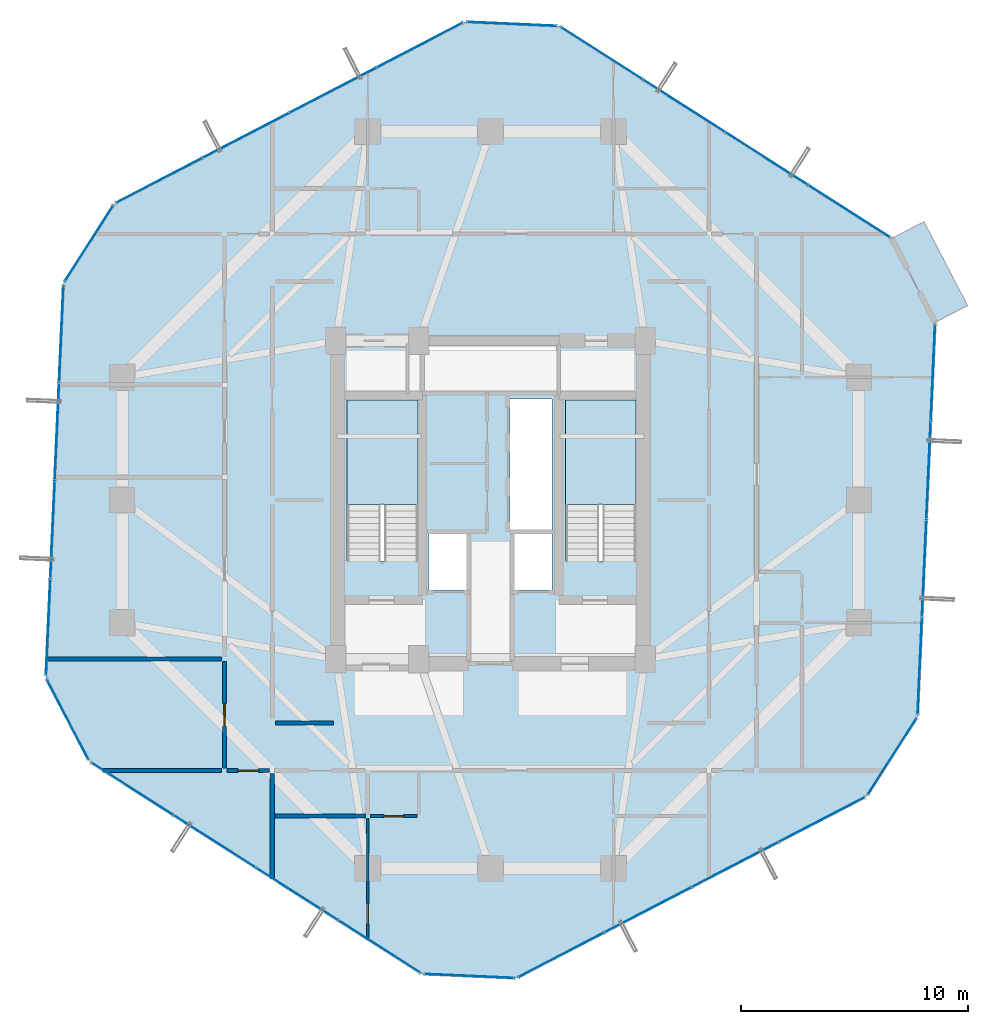
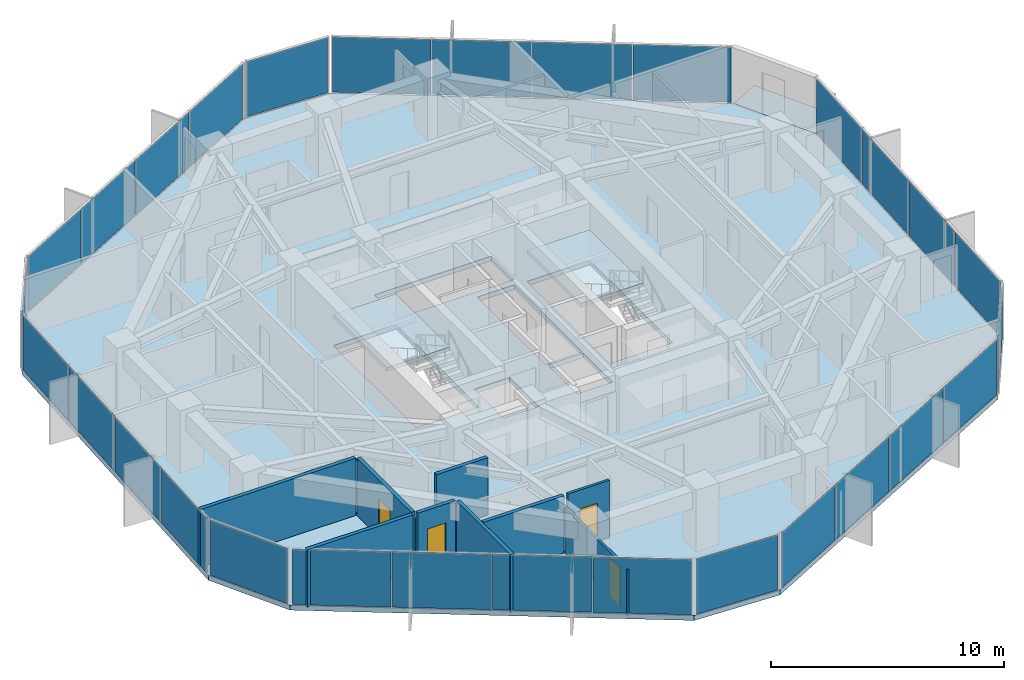
# One storey, part 25 of 30: 29 plates, 9 walls, 4 doors, 4 slabs, 4 openings, 13 elements without a shape of their own.
"""IFC4 building model written with IfcOpenShell, lengths in metres."""

from ifc_helpers import new_model, si_unit, direction, frame, frame_2d, origin, origin_2d, place, context, subcontext, project, spatial, polyline, rectangle, outline, extrude, source, transform, mapped, material, layer, layer_set, type_object, element, fill, aggregate, save


model = new_model("IFC4")

# Units and contexts
model_context = context("Model", 3, precision=1e-05, world=origin(), true_north=direction((0.0, 1.0)))
body_context = subcontext(model_context, "Body", "Model", "MODEL_VIEW")
ifc_project = project(units=[si_unit("LENGTHUNIT", "METRE"), si_unit("AREAUNIT", "SQUARE_METRE"), si_unit("VOLUMEUNIT", "CUBIC_METRE"), si_unit("PLANEANGLEUNIT", "RADIAN"), si_unit("MASSUNIT", "GRAM", prefix="KILO")], contexts=[model_context])

# Site, building, storey
site_placement = place(None, origin())
site = spatial("IfcSite", under=ifc_project, at=site_placement, CompositionType="ELEMENT")
building_placement = place(site_placement, origin())
building = spatial("IfcBuilding", under=site, at=building_placement, Name="Veraguas Prism Commons", CompositionType="ELEMENT")
storey_placement = place(building_placement, frame((0.0, 0.0, 119.75)))
storey = spatial("IfcBuildingStorey", under=building, at=storey_placement, Name="L33", CompositionType="ELEMENT", Elevation=119.75)

# Stair, slab
ifc_material_1 = material(Name="Precast concrete C45/55", Category="concrete")
stair_type = type_object("IfcStairType", Name="Dogleg Core Stair 1480W 20R 05", PredefinedType="HALF_TURN_STAIR", material=ifc_material_1)
stair_1_placement = place(storey_placement, origin())
stair_1 = element("IfcStair", 1, at=stair_1_placement, inside=storey, type_object=stair_type, Name="Protected Exit Stair ST-01 L33", PredefinedType="HALF_TURN_STAIR")
ifc_layer_1 = layer(ifc_material_1, 0.199951171875, Name="Precast Stair and Ramp Landing Slab 200", Category="concrete")
ifc_layer_set_1 = layer_set([ifc_layer_1], Name="Precast concrete C45/55")
slab_type_1 = type_object("IfcSlabType", Name="Precast Stair and Ramp Landing Slab 200", PredefinedType="LANDING", material=ifc_layer_set_1)
slab_1_placement = place(storey_placement, frame((0.0, 0.0, 1.425048828125)))
slab_1 = element("IfcSlab", 2, at=slab_1_placement, type_object=slab_type_1, Name="ST-05 Landing 1", PredefinedType="LANDING", context=body_context, shape_type="SweptSolid", body=[
    extrude(outline(polyline([(20.800048828125, 23.800048828125), (20.800048828125, 28.39990234375), (17.68994140625, 28.39990234375), (17.68994140625, 23.800048828125), (20.800048828125, 23.800048828125)])), origin(), (0.0, 0.0, 1.0), 0.199951171875),
])
aggregate(stair_1, [slab_1])

stair_2_placement = place(storey_placement, origin())
stair_2 = element("IfcStair", 3, at=stair_2_placement, inside=storey, type_object=stair_type, Name="Protected Exit Stair ST-02 L33", PredefinedType="HALF_TURN_STAIR")
slab_2_placement = place(storey_placement, frame((0.0, 0.0, 1.425048828125)))
slab_2 = element("IfcSlab", 4, at=slab_2_placement, type_object=slab_type_1, Name="ST-05 Landing 1", PredefinedType="LANDING", context=body_context, shape_type="SweptSolid", body=[
    extrude(outline(polyline([(30.39990234375, 23.800048828125), (30.39990234375, 28.39990234375), (27.2900390625, 28.39990234375), (27.2900390625, 23.800048828125), (30.39990234375, 23.800048828125)])), origin(), (0.0, 0.0, 1.0), 0.199951171875),
])
aggregate(stair_2, [slab_2])

# Slabs
ifc_material_2 = material(Name="Concrete C45/55", Category="concrete")
ifc_layer_2 = layer(ifc_material_2, 0.219970703125, Name="Recessed Loggia and Terrace Slab RC 220", Category="concrete")
ifc_layer_set_2 = layer_set([ifc_layer_2], Name="Concrete C45/55")
slab_type_2 = type_object("IfcSlabType", Name="Recessed Loggia and Terrace Slab RC 220", PredefinedType="FLOOR", material=ifc_layer_set_2)
slab_3_placement = place(storey_placement, frame((0.0, 0.0, -0.219970703125)))
element("IfcSlab", 5, at=slab_3_placement, inside=storey, type_object=slab_type_2, Name="Recessed Corner Loggia L33-C1", PredefinedType="FLOOR", context=body_context, shape_type="SweptSolid", body=[
    extrude(outline(polyline([(43.533203125, 31.802490234375), (44.970947265625, 32.549072265625), (43.056884765625, 36.23486328125), (41.619384765625, 35.48828125), (43.533203125, 31.802490234375)])), origin(), (0.0, 0.0, 1.0), 0.219970703125),
])
ifc_layer_3 = layer(ifc_material_2, 0.25, Name="Tower Lower Residential Floor Slab RC 250", Category="concrete")
ifc_layer_set_3 = layer_set([ifc_layer_3], Name="Concrete C45/55")
slab_type_3 = type_object("IfcSlabType", Name="Tower Lower Residential Floor Slab RC 250", PredefinedType="FLOOR", material=ifc_layer_set_3)
slab_4_placement = place(storey_placement, frame((0.0, 0.0, -0.25)))
element("IfcSlab", 6, at=slab_4_placement, inside=storey, type_object=slab_type_3, Name="Tower Floor Slab L33", PredefinedType="FLOOR", context=body_context, shape_type="SweptSolid", body=[
    extrude(outline(polyline([(43.55078125, 31.811767578125), (41.636962890625, 35.49755859375), (27.01025390625, 44.83740234375), (22.861328125, 45.02294921875), (7.45947265625, 37.025634765625), (5.224365234375, 33.525390625), (4.44921875, 16.188232421875), (6.363037109375, 12.50244140625), (20.98974609375, 3.16259765625), (25.138671875, 2.97705078125), (40.54052734375, 10.974365234375), (42.775634765625, 14.474609375), (43.55078125, 31.811767578125)]), holes=[polyline([(20.800048828125, 21.31005859375), (20.800048828125, 28.39990234375), (17.68994140625, 28.39990234375), (17.68994140625, 21.31005859375), (20.800048828125, 21.31005859375)]), polyline([(30.39990234375, 21.31005859375), (30.39990234375, 28.39990234375), (27.2900390625, 28.39990234375), (27.2900390625, 21.31005859375), (30.39990234375, 21.31005859375)]), polyline([(24.85009765625, 22.64990234375), (26.699951171875, 22.64990234375), (26.699951171875, 28.449951171875), (24.85009765625, 28.449951171875), (24.85009765625, 22.64990234375)]), polyline([(21.10009765625, 28.800048828125), (26.89990234375, 28.800048828125), (26.89990234375, 30.800048828125), (21.10009765625, 30.800048828125), (21.10009765625, 28.800048828125)]), polyline([(21.300048828125, 20.050048828125), (23.050048828125, 20.050048828125), (23.050048828125, 22.550048828125), (21.300048828125, 22.550048828125), (21.300048828125, 20.050048828125)]), polyline([(24.949951171875, 20.050048828125), (26.699951171875, 20.050048828125), (26.699951171875, 22.550048828125), (24.949951171875, 22.550048828125), (24.949951171875, 20.050048828125)])]), origin(), (0.0, 0.0, 1.0), 0.25),
])

# Curtain wall, plates
ifc_material_3 = material(Name="Anodised aluminium EN AW-6063 T6", Category="aluminium")
ifc_layer_4 = layer(ifc_material_3, 0.169921875, Name="Unitised Flush Curtain Wall Zone 2", Category="aluminium")
ifc_layer_set_4 = layer_set([ifc_layer_4], Name="Anodised aluminium EN AW-6063 T6")
curtain_wall_type = type_object("IfcCurtainWallType", Name="Unitised Flush Curtain Wall Zone 2", PredefinedType="NOTDEFINED", material=ifc_layer_set_4)
curtain_wall_1_placement = place(storey_placement, origin())
curtain_wall_1 = element("IfcCurtainWall", 7, at=curtain_wall_1_placement, inside=storey, type_object=curtain_wall_type, Name="Tower Facade Curtain Wall L33-F1", PredefinedType="NOTDEFINED")
ifc_material_4 = material(Name="Laminated low-e glass", Category="glass")
ifc_layer_5 = layer(ifc_material_4, 0.028076171875, Name="Unitised Double Low-E Glazed Panel 28", Category="glass")
ifc_layer_set_5 = layer_set([ifc_layer_5], Name="Laminated low-e glass")
plate_type = type_object("IfcPlateType", Name="Unitised Double Low-E Glazed Panel 28", PredefinedType="CURTAIN_PANEL", material=ifc_layer_set_5)
shared_shape_1 = source(origin(), body_context, "Body", "SweptSolid", [
    extrude(rectangle(XDim=4.218505859375, YDim=0.028076171875, at=origin_2d()), origin(), (0.0, 0.0, 1.0), 2.889892578125),
])
plate_1_placement = place(storey_placement, frame((39.758056640625, 36.697265625, 0.05517578125), z_axis=(0.0, 0.0, 1.0), x_axis=(-0.842827385334, 0.538183982047, 0.0)))
plate_1 = element("IfcPlate", 8, at=plate_1_placement, type_object=plate_type, Name="CW-Z2 Panel 1.1", PredefinedType="CURTAIN_PANEL", context=body_context, shape_type="MappedRepresentation", body=[
    mapped(shared_shape_1, transform((0.0, 0.0, 0.0), scale=1.0)),
])
plate_2_placement = place(storey_placement, frame((28.88916015625, 43.6376953125, 0.05517578125), z_axis=(0.0, 0.0, 1.0), x_axis=(-0.842827385334, 0.538183982047, 0.0)))
plate_2 = element("IfcPlate", 9, at=plate_2_placement, type_object=plate_type, Name="CW-Z2 Panel 4.1", PredefinedType="CURTAIN_PANEL", context=body_context, shape_type="MappedRepresentation", body=[
    mapped(shared_shape_1, transform((0.0, 0.0, 0.0), scale=1.0)),
])

curtain_wall_2_placement = place(storey_placement, origin())
curtain_wall_2 = element("IfcCurtainWall", 10, at=curtain_wall_2_placement, inside=storey, type_object=curtain_wall_type, Name="Tower Facade Curtain Wall L33-F2", PredefinedType="NOTDEFINED")
plate_3_placement = place(storey_placement, frame((20.8828125, 43.99560546875, 0.05517578125), z_axis=(0.0, 0.0, 1.0), x_axis=(-0.887493888749, -0.46081948465, 0.0)))
plate_3 = element("IfcPlate", 11, at=plate_3_placement, type_object=plate_type, Name="CW-Z2 Panel 1.1", PredefinedType="CURTAIN_PANEL", context=body_context, shape_type="MappedRepresentation", body=[
    mapped(shared_shape_1, transform((0.0, 0.0, 0.0), scale=1.0)),
])
plate_4_placement = place(storey_placement, frame((9.437744140625, 38.052978515625, 0.05517578125), z_axis=(0.0, 0.0, 1.0), x_axis=(-0.887493888749, -0.46081948465, 0.0)))
plate_4 = element("IfcPlate", 12, at=plate_4_placement, type_object=plate_type, Name="CW-Z2 Panel 4.1", PredefinedType="CURTAIN_PANEL", context=body_context, shape_type="MappedRepresentation", body=[
    mapped(shared_shape_1, transform((0.0, 0.0, 0.0), scale=1.0)),
])

curtain_wall_3_placement = place(storey_placement, origin())
curtain_wall_3 = element("IfcCurtainWall", 13, at=curtain_wall_3_placement, inside=storey, type_object=curtain_wall_type, Name="Tower Facade Curtain Wall L33-F3", PredefinedType="NOTDEFINED")
plate_5_placement = place(storey_placement, frame((5.124755859375, 31.29833984375, 0.05517578125), z_axis=(0.0, 0.0, 1.0), x_axis=(-0.044667307696, -0.999001917728, 0.0)))
plate_5 = element("IfcPlate", 14, at=plate_5_placement, type_object=plate_type, Name="CW-Z2 Panel 1.1", PredefinedType="CURTAIN_PANEL", context=body_context, shape_type="MappedRepresentation", body=[
    mapped(shared_shape_1, transform((0.0, 0.0, 0.0), scale=1.0)),
])
plate_6_placement = place(storey_placement, frame((4.548583984375, 18.415283203125, 0.05517578125), z_axis=(0.0, 0.0, 1.0), x_axis=(-0.044667307696, -0.999001917728, 0.0)))
plate_6 = element("IfcPlate", 15, at=plate_6_placement, type_object=plate_type, Name="CW-Z2 Panel 4.1", PredefinedType="CURTAIN_PANEL", context=body_context, shape_type="MappedRepresentation", body=[
    mapped(shared_shape_1, transform((0.0, 0.0, 0.0), scale=1.0)),
])

curtain_wall_4_placement = place(storey_placement, origin())
curtain_wall_4 = element("IfcCurtainWall", 16, at=curtain_wall_4_placement, inside=storey, type_object=curtain_wall_type, Name="Tower Facade Curtain Wall L33-F4", PredefinedType="NOTDEFINED")
plate_7_placement = place(storey_placement, frame((8.241943359375, 11.302734375, 0.05517578125), z_axis=(0.0, 0.0, 1.0), x_axis=(0.842827385334, -0.538183982047, 0.0)))
plate_7 = element("IfcPlate", 17, at=plate_7_placement, type_object=plate_type, Name="CW-Z2 Panel 1.1", PredefinedType="CURTAIN_PANEL", context=body_context, shape_type="MappedRepresentation", body=[
    mapped(shared_shape_1, transform((0.0, 0.0, 0.0), scale=1.0)),
])
plate_8_placement = place(storey_placement, frame((19.11083984375, 4.3623046875, 0.05517578125), z_axis=(0.0, 0.0, 1.0), x_axis=(0.842827385334, -0.538183982047, 0.0)))
plate_8 = element("IfcPlate", 18, at=plate_8_placement, type_object=plate_type, Name="CW-Z2 Panel 4.1", PredefinedType="CURTAIN_PANEL", context=body_context, shape_type="MappedRepresentation", body=[
    mapped(shared_shape_1, transform((0.0, 0.0, 0.0), scale=1.0)),
])

curtain_wall_5_placement = place(storey_placement, origin())
curtain_wall_5 = element("IfcCurtainWall", 19, at=curtain_wall_5_placement, inside=storey, type_object=curtain_wall_type, Name="Tower Facade Curtain Wall L33-F5", PredefinedType="NOTDEFINED")
plate_9_placement = place(storey_placement, frame((27.1171875, 4.00439453125, 0.05517578125), z_axis=(0.0, 0.0, 1.0), x_axis=(0.887493888749, 0.46081948465, 0.0)))
plate_9 = element("IfcPlate", 20, at=plate_9_placement, type_object=plate_type, Name="CW-Z2 Panel 1.1", PredefinedType="CURTAIN_PANEL", context=body_context, shape_type="MappedRepresentation", body=[
    mapped(shared_shape_1, transform((0.0, 0.0, 0.0), scale=1.0)),
])
plate_10_placement = place(storey_placement, frame((38.562255859375, 9.947021484375, 0.05517578125), z_axis=(0.0, 0.0, 1.0), x_axis=(0.887493888749, 0.46081948465, 0.0)))
plate_10 = element("IfcPlate", 21, at=plate_10_placement, type_object=plate_type, Name="CW-Z2 Panel 4.1", PredefinedType="CURTAIN_PANEL", context=body_context, shape_type="MappedRepresentation", body=[
    mapped(shared_shape_1, transform((0.0, 0.0, 0.0), scale=1.0)),
])

curtain_wall_6_placement = place(storey_placement, origin())
curtain_wall_6 = element("IfcCurtainWall", 22, at=curtain_wall_6_placement, inside=storey, type_object=curtain_wall_type, Name="Tower Facade Curtain Wall L33-F6", PredefinedType="NOTDEFINED")
plate_11_placement = place(storey_placement, frame((42.875244140625, 16.70166015625, 0.05517578125), z_axis=(0.0, 0.0, 1.0), x_axis=(0.044667307696, 0.999001917728, 0.0)))
plate_11 = element("IfcPlate", 23, at=plate_11_placement, type_object=plate_type, Name="CW-Z2 Panel 1.1", PredefinedType="CURTAIN_PANEL", context=body_context, shape_type="MappedRepresentation", body=[
    mapped(shared_shape_1, transform((0.0, 0.0, 0.0), scale=1.0)),
])
plate_12_placement = place(storey_placement, frame((43.451416015625, 29.584716796875, 0.05517578125), z_axis=(0.0, 0.0, 1.0), x_axis=(0.044667307696, 0.999001917728, 0.0)))
plate_12 = element("IfcPlate", 24, at=plate_12_placement, type_object=plate_type, Name="CW-Z2 Panel 4.1", PredefinedType="CURTAIN_PANEL", context=body_context, shape_type="MappedRepresentation", body=[
    mapped(shared_shape_1, transform((0.0, 0.0, 0.0), scale=1.0)),
])

# Plate
shared_shape_2 = source(origin(), body_context, "Body", "SweptSolid", [
    extrude(rectangle(XDim=4.24853515625, YDim=0.028076171875, at=origin_2d()), origin(), (0.0, 0.0, 1.0), 2.889892578125),
])
plate_13_placement = place(storey_placement, frame((36.139404296875, 39.008056640625, 0.05517578125), z_axis=(0.0, 0.0, 1.0), x_axis=(-0.842827385334, 0.538183982047, 0.0)))
plate_13 = element("IfcPlate", 25, at=plate_13_placement, type_object=plate_type, Name="CW-Z2 Panel 2.1", PredefinedType="CURTAIN_PANEL", context=body_context, shape_type="MappedRepresentation", body=[
    mapped(shared_shape_2, transform((0.0, 0.0, 0.0), scale=1.0)),
])

plate_14_placement = place(storey_placement, frame((32.508056640625, 41.326904296875, 0.05517578125), z_axis=(0.0, 0.0, 1.0), x_axis=(-0.842827385334, 0.538183982047, 0.0)))
plate_14 = element("IfcPlate", 26, at=plate_14_placement, type_object=plate_type, Name="CW-Z2 Panel 3.1", PredefinedType="CURTAIN_PANEL", context=body_context, shape_type="MappedRepresentation", body=[
    mapped(shared_shape_2, transform((0.0, 0.0, 0.0), scale=1.0)),
])

aggregate(curtain_wall_1, [plate_1, plate_13, plate_14, plate_2])

plate_15_placement = place(storey_placement, frame((17.072265625, 42.01708984375, 0.05517578125), z_axis=(0.0, 0.0, 1.0), x_axis=(-0.887493888749, -0.46081948465, 0.0)))
plate_15 = element("IfcPlate", 27, at=plate_15_placement, type_object=plate_type, Name="CW-Z2 Panel 2.1", PredefinedType="CURTAIN_PANEL", context=body_context, shape_type="MappedRepresentation", body=[
    mapped(shared_shape_2, transform((0.0, 0.0, 0.0), scale=1.0)),
])

plate_16_placement = place(storey_placement, frame((13.248291015625, 40.031494140625, 0.05517578125), z_axis=(0.0, 0.0, 1.0), x_axis=(-0.887493888749, -0.46081948465, 0.0)))
plate_16 = element("IfcPlate", 28, at=plate_16_placement, type_object=plate_type, Name="CW-Z2 Panel 3.1", PredefinedType="CURTAIN_PANEL", context=body_context, shape_type="MappedRepresentation", body=[
    mapped(shared_shape_2, transform((0.0, 0.0, 0.0), scale=1.0)),
])

aggregate(curtain_wall_2, [plate_3, plate_15, plate_16, plate_4])

plate_17_placement = place(storey_placement, frame((4.932861328125, 27.009033203125, 0.05517578125), z_axis=(0.0, 0.0, 1.0), x_axis=(-0.044667307696, -0.999001917728, 0.0)))
plate_17 = element("IfcPlate", 29, at=plate_17_placement, type_object=plate_type, Name="CW-Z2 Panel 2.1", PredefinedType="CURTAIN_PANEL", context=body_context, shape_type="MappedRepresentation", body=[
    mapped(shared_shape_2, transform((0.0, 0.0, 0.0), scale=1.0)),
])

plate_18_placement = place(storey_placement, frame((4.740478515625, 22.70458984375, 0.05517578125), z_axis=(0.0, 0.0, 1.0), x_axis=(-0.044667307696, -0.999001917728, 0.0)))
plate_18 = element("IfcPlate", 30, at=plate_18_placement, type_object=plate_type, Name="CW-Z2 Panel 3.1", PredefinedType="CURTAIN_PANEL", context=body_context, shape_type="MappedRepresentation", body=[
    mapped(shared_shape_2, transform((0.0, 0.0, 0.0), scale=1.0)),
])

aggregate(curtain_wall_3, [plate_5, plate_17, plate_18, plate_6])

plate_19_placement = place(storey_placement, frame((11.860595703125, 8.991943359375, 0.05517578125), z_axis=(0.0, 0.0, 1.0), x_axis=(0.842827385334, -0.538183982047, 0.0)))
plate_19 = element("IfcPlate", 31, at=plate_19_placement, type_object=plate_type, Name="CW-Z2 Panel 2.1", PredefinedType="CURTAIN_PANEL", context=body_context, shape_type="MappedRepresentation", body=[
    mapped(shared_shape_2, transform((0.0, 0.0, 0.0), scale=1.0)),
])

plate_20_placement = place(storey_placement, frame((15.491943359375, 6.673095703125, 0.05517578125), z_axis=(0.0, 0.0, 1.0), x_axis=(0.842827385334, -0.538183982047, 0.0)))
plate_20 = element("IfcPlate", 32, at=plate_20_placement, type_object=plate_type, Name="CW-Z2 Panel 3.1", PredefinedType="CURTAIN_PANEL", context=body_context, shape_type="MappedRepresentation", body=[
    mapped(shared_shape_2, transform((0.0, 0.0, 0.0), scale=1.0)),
])

aggregate(curtain_wall_4, [plate_7, plate_19, plate_20, plate_8])

plate_21_placement = place(storey_placement, frame((30.927734375, 5.98291015625, 0.05517578125), z_axis=(0.0, 0.0, 1.0), x_axis=(0.887493888749, 0.46081948465, 0.0)))
plate_21 = element("IfcPlate", 33, at=plate_21_placement, type_object=plate_type, Name="CW-Z2 Panel 2.1", PredefinedType="CURTAIN_PANEL", context=body_context, shape_type="MappedRepresentation", body=[
    mapped(shared_shape_2, transform((0.0, 0.0, 0.0), scale=1.0)),
])

plate_22_placement = place(storey_placement, frame((34.751708984375, 7.968505859375, 0.05517578125), z_axis=(0.0, 0.0, 1.0), x_axis=(0.887493888749, 0.46081948465, 0.0)))
plate_22 = element("IfcPlate", 34, at=plate_22_placement, type_object=plate_type, Name="CW-Z2 Panel 3.1", PredefinedType="CURTAIN_PANEL", context=body_context, shape_type="MappedRepresentation", body=[
    mapped(shared_shape_2, transform((0.0, 0.0, 0.0), scale=1.0)),
])

aggregate(curtain_wall_5, [plate_9, plate_21, plate_22, plate_10])

plate_23_placement = place(storey_placement, frame((43.067138671875, 20.990966796875, 0.05517578125), z_axis=(0.0, 0.0, 1.0), x_axis=(0.044667307696, 0.999001917728, 0.0)))
plate_23 = element("IfcPlate", 35, at=plate_23_placement, type_object=plate_type, Name="CW-Z2 Panel 2.1", PredefinedType="CURTAIN_PANEL", context=body_context, shape_type="MappedRepresentation", body=[
    mapped(shared_shape_2, transform((0.0, 0.0, 0.0), scale=1.0)),
])

plate_24_placement = place(storey_placement, frame((43.259521484375, 25.29541015625, 0.05517578125), z_axis=(0.0, 0.0, 1.0), x_axis=(0.044667307696, 0.999001917728, 0.0)))
plate_24 = element("IfcPlate", 36, at=plate_24_placement, type_object=plate_type, Name="CW-Z2 Panel 3.1", PredefinedType="CURTAIN_PANEL", context=body_context, shape_type="MappedRepresentation", body=[
    mapped(shared_shape_2, transform((0.0, 0.0, 0.0), scale=1.0)),
])

aggregate(curtain_wall_6, [plate_11, plate_23, plate_24, plate_12])

# Curtain wall, plate
curtain_wall_7_placement = place(storey_placement, origin())
curtain_wall_7 = element("IfcCurtainWall", 37, at=curtain_wall_7_placement, inside=storey, type_object=curtain_wall_type, Name="Chamfer Curtain Wall L33-C3", PredefinedType="NOTDEFINED")
shared_shape_3 = source(origin(), body_context, "Body", "SweptSolid", [
    extrude(rectangle(XDim=3.9130859375, YDim=0.028076171875, at=origin_2d()), origin(), (0.0, 0.0, 1.0), 2.889892578125),
])
plate_25_placement = place(storey_placement, frame((6.341796875, 35.275390625, 0.05517578125), z_axis=(0.0, 0.0, 1.0), x_axis=(-0.53817662697, -0.842832081843, 0.0)))
plate_25 = element("IfcPlate", 38, at=plate_25_placement, type_object=plate_type, Name="CW-Z2 Panel 1.1", PredefinedType="CURTAIN_PANEL", context=body_context, shape_type="MappedRepresentation", body=[
    mapped(shared_shape_3, transform((0.0, 0.0, 0.0), scale=1.0)),
])
aggregate(curtain_wall_7, [plate_25])

curtain_wall_8_placement = place(storey_placement, origin())
curtain_wall_8 = element("IfcCurtainWall", 39, at=curtain_wall_8_placement, inside=storey, type_object=curtain_wall_type, Name="Chamfer Curtain Wall L33-C6", PredefinedType="NOTDEFINED")
plate_26_placement = place(storey_placement, frame((41.658203125, 12.724609375, 0.05517578125), z_axis=(0.0, 0.0, 1.0), x_axis=(0.53817662697, 0.842832081843, 0.0)))
plate_26 = element("IfcPlate", 40, at=plate_26_placement, type_object=plate_type, Name="CW-Z2 Panel 1.1", PredefinedType="CURTAIN_PANEL", context=body_context, shape_type="MappedRepresentation", body=[
    mapped(shared_shape_3, transform((0.0, 0.0, 0.0), scale=1.0)),
])
aggregate(curtain_wall_8, [plate_26])

curtain_wall_9_placement = place(storey_placement, origin())
curtain_wall_9 = element("IfcCurtainWall", 41, at=curtain_wall_9_placement, inside=storey, type_object=curtain_wall_type, Name="Chamfer Curtain Wall L33-C2", PredefinedType="NOTDEFINED")
shared_shape_4 = source(origin(), body_context, "Body", "SweptSolid", [
    extrude(rectangle(XDim=3.913330078125, YDim=0.028076171875, at=origin_2d()), origin(), (0.0, 0.0, 1.0), 2.889892578125),
])
plate_27_placement = place(storey_placement, frame((24.935791015625, 44.93017578125, 0.05517578125), z_axis=(0.0, 0.0, 1.0), x_axis=(-0.999002541303, 0.044653358993, 0.0)))
plate_27 = element("IfcPlate", 42, at=plate_27_placement, type_object=plate_type, Name="CW-Z2 Panel 1.1", PredefinedType="CURTAIN_PANEL", context=body_context, shape_type="MappedRepresentation", body=[
    mapped(shared_shape_4, transform((0.0, 0.0, 0.0), scale=1.0)),
])
aggregate(curtain_wall_9, [plate_27])

curtain_wall_10_placement = place(storey_placement, origin())
curtain_wall_10 = element("IfcCurtainWall", 43, at=curtain_wall_10_placement, inside=storey, type_object=curtain_wall_type, Name="Chamfer Curtain Wall L33-C4", PredefinedType="NOTDEFINED")
plate_28_placement = place(storey_placement, frame((5.406005859375, 14.345458984375, 0.05517578125), z_axis=(0.0, 0.0, 1.0), x_axis=(0.460838072178, -0.887484237173, 0.0)))
plate_28 = element("IfcPlate", 44, at=plate_28_placement, type_object=plate_type, Name="CW-Z2 Panel 1.1", PredefinedType="CURTAIN_PANEL", context=body_context, shape_type="MappedRepresentation", body=[
    mapped(shared_shape_4, transform((0.0, 0.0, 0.0), scale=1.0)),
])
aggregate(curtain_wall_10, [plate_28])

curtain_wall_11_placement = place(storey_placement, origin())
curtain_wall_11 = element("IfcCurtainWall", 45, at=curtain_wall_11_placement, inside=storey, type_object=curtain_wall_type, Name="Chamfer Curtain Wall L33-C5", PredefinedType="NOTDEFINED")
plate_29_placement = place(storey_placement, frame((23.064208984375, 3.06982421875, 0.05517578125), z_axis=(0.0, 0.0, 1.0), x_axis=(0.999002541303, -0.044653358993, 0.0)))
plate_29 = element("IfcPlate", 46, at=plate_29_placement, type_object=plate_type, Name="CW-Z2 Panel 1.1", PredefinedType="CURTAIN_PANEL", context=body_context, shape_type="MappedRepresentation", body=[
    mapped(shared_shape_4, transform((0.0, 0.0, 0.0), scale=1.0)),
])
aggregate(curtain_wall_11, [plate_29])

# Walls
ifc_material_5 = material(Name="Autoclaved aerated masonry block 10 MPa", Category="masonry")
ifc_layer_6 = layer(ifc_material_5, 0.179931640625, Name="Corridor and Inter-Tenancy Partition 180", Category="masonry")
ifc_layer_set_6 = layer_set([ifc_layer_6], Name="Autoclaved aerated masonry block 10 MPa")
wall_type_1 = type_object("IfcWallType", Name="Corridor and Inter-Tenancy Partition 180", PredefinedType="PARTITIONING", material=ifc_layer_set_6)
wall_1_placement = place(storey_placement, frame((14.550048828125, 14.199951171875, 0.0), z_axis=(0.0, 0.0, 1.0), x_axis=(1.0, 0.0, 0.0)))
element("IfcWall", 47, at=wall_1_placement, inside=storey, type_object=wall_type_1, Name="WL-L33-IRWS", PredefinedType="PARTITIONING", context=body_context, shape_type="SweptSolid", body=[
    extrude(rectangle(XDim=2.550048828125, YDim=0.179931640625, at=frame_2d((1.27490234375, 0.0))), origin(), (0.0, 0.0, 1.0), 3.0),
])
wall_2_placement = place(storey_placement, frame((14.39990234375, 11.97998046875, 0.0), z_axis=(0.0, 0.0, 1.0), x_axis=(0.0, -1.0, 0.0)))
element("IfcWall", 48, at=wall_2_placement, inside=storey, type_object=wall_type_1, Name="WL-L33-PT001", PredefinedType="PARTITIONING", context=body_context, shape_type="SweptSolid", body=[
    extrude(rectangle(XDim=4.645263671875, YDim=0.179931640625, at=frame_2d((2.32275390625, 0.0))), origin(), (0.0, 0.0, 1.0), 3.0),
])
wall_3_placement = place(storey_placement, frame((14.52001953125, 10.10009765625, 0.0), z_axis=(0.0, 0.0, 1.0), x_axis=(1.0, 0.0, 0.0)))
element("IfcWall", 49, at=wall_3_placement, inside=storey, type_object=wall_type_1, Name="WL-L33-PT005", PredefinedType="PARTITIONING", context=body_context, shape_type="SweptSolid", body=[
    extrude(rectangle(XDim=3.97998046875, YDim=0.179931640625, at=frame_2d((1.989990234375, 0.0))), origin(), (0.0, 0.0, 1.0), 3.0),
])
wall_4_placement = place(storey_placement, frame((12.179931640625, 12.10009765625, 0.0), z_axis=(0.0, 0.0, 1.0), x_axis=(-1.0, 0.0, 0.0)))
element("IfcWall", 50, at=wall_4_placement, inside=storey, type_object=wall_type_1, Name="WL-L33-PT025", PredefinedType="PARTITIONING", context=body_context, shape_type="SweptSolid", body=[
    extrude(rectangle(XDim=5.242431640625, YDim=0.179931640625, at=frame_2d((2.62109375, 0.0))), origin(), (0.0, 0.0, 1.0), 3.0),
])

# Wall, opening, door
wall_5_placement = place(storey_placement, frame((12.300048828125, 12.2099609375, 0.0), z_axis=(0.0, 0.0, 1.0), x_axis=(0.0, 1.0, 0.0)))
wall_5 = element("IfcWall", 51, at=wall_5_placement, inside=storey, type_object=wall_type_1, Name="WL-L33-PT027", PredefinedType="PARTITIONING", context=body_context, shape_type="SweptSolid", body=[
    extrude(rectangle(XDim=4.68310546875, YDim=0.179931640625, at=frame_2d((2.341552734375, 0.0))), origin(), (0.0, 0.0, 1.0), 3.0),
])
opening_1_placement = place(wall_5_placement, frame((1.841552734375, 0.0, 0.0)))
opening_1 = element("IfcOpeningElement", 52, at=opening_1_placement, cuts=wall_5, Name="Opening DR-13", PredefinedType="OPENING", context=body_context, shape_type="SweptSolid", body=[
    extrude(rectangle(XDim=1.0, YDim=2.010009765625, at=frame_2d((0.5, 1.0048828125))), frame((0.0, 0.099853515625, 0.0), z_axis=(0.0, -1.0, 0.0), x_axis=(1.0, 0.0, 0.0)), (0.0, 0.0, 1.0), 0.199951171875),
])
ifc_material_6 = material(Name="Steel fire-rated door assembly", Category="steel")
door_type_1 = type_object("IfcDoorType", Name="Core Accessible WC and Clinic Fire Door 1000x2010", OperationType="NOTDEFINED", PredefinedType="DOOR", material=ifc_material_6)
shared_shape_5 = source(origin(), body_context, "Body", "SweptSolid", [
    extrude(rectangle(XDim=1.0, YDim=2.010009765625, at=frame_2d((0.5, 1.0048828125))), frame((0.0, 0.02490234375, 0.0), z_axis=(0.0, -1.0, 0.0), x_axis=(1.0, 0.0, 0.0)), (0.0, 0.0, 1.0), 0.050048828125),
])
door_1_placement = place(opening_1_placement, origin())
door_1 = element("IfcDoor", 53, at=door_1_placement, inside=storey, type_object=door_type_1, Name="Residents Study Room Door", OperationType="SINGLE_SWING_RIGHT", OverallHeight=2.010009765625, OverallWidth=1.0, PredefinedType="DOOR", context=body_context, shape_type="MappedRepresentation", body=[
    mapped(shared_shape_5, transform((0.0, 0.0, 0.0), scale=1.0)),
])
fill(opening_1, door_1)

# Wall
wall_6_placement = place(storey_placement, frame((12.179931640625, 17.0029296875, 0.0), z_axis=(0.0, 0.0, 1.0), x_axis=(-1.0, 0.0, 0.0)))
element("IfcWall", 54, at=wall_6_placement, inside=storey, type_object=wall_type_1, Name="WL-L33-PT029", PredefinedType="PARTITIONING", context=body_context, shape_type="SweptSolid", body=[
    extrude(rectangle(XDim=7.724365234375, YDim=0.179931640625, at=frame_2d((3.8623046875, 0.0))), origin(), (0.0, 0.0, 1.0), 3.0),
])

# Wall, opening, door
wall_7_placement = place(storey_placement, frame((12.419921875, 12.10009765625, 0.0), z_axis=(0.0, 0.0, 1.0), x_axis=(1.0, 0.0, 0.0)))
wall_7 = element("IfcWall", 55, at=wall_7_placement, inside=storey, type_object=wall_type_1, Name="WL-L33-PT046", PredefinedType="PARTITIONING", context=body_context, shape_type="SweptSolid", body=[
    extrude(rectangle(XDim=1.860107421875, YDim=0.179931640625, at=frame_2d((0.93017578125, 0.0))), origin(), (0.0, 0.0, 1.0), 3.0),
])
opening_2_placement = place(wall_7_placement, frame((0.47998046875, 0.0, 0.0)))
opening_2 = element("IfcOpeningElement", 56, at=opening_2_placement, cuts=wall_7, Name="Opening DR-14", PredefinedType="OPENING", context=body_context, shape_type="SweptSolid", body=[
    extrude(rectangle(XDim=0.89990234375, YDim=2.010009765625, at=frame_2d((0.449951171875, 1.0048828125))), frame((0.0, 0.099853515625, 0.0), z_axis=(0.0, -1.0, 0.0), x_axis=(1.0, 0.0, 0.0)), (0.0, 0.0, 1.0), 0.199951171875),
])
door_type_2 = type_object("IfcDoorType", Name="Core Service Room Fire Door 900x2010", OperationType="NOTDEFINED", PredefinedType="DOOR", material=ifc_material_6)
shared_shape_6 = source(origin(), body_context, "Body", "SweptSolid", [
    extrude(rectangle(XDim=0.89990234375, YDim=2.010009765625, at=frame_2d((0.449951171875, 1.0048828125))), frame((0.0, 0.02490234375, 0.0), z_axis=(0.0, -1.0, 0.0), x_axis=(1.0, 0.0, 0.0)), (0.0, 0.0, 1.0), 0.050048828125),
])
door_2_placement = place(opening_2_placement, origin())
door_2 = element("IfcDoor", 57, at=door_2_placement, inside=storey, type_object=door_type_2, Name="Community Co-op Kitchen SW Door", OperationType="SINGLE_SWING_RIGHT", OverallHeight=2.010009765625, OverallWidth=0.89990234375, PredefinedType="DOOR", context=body_context, shape_type="MappedRepresentation", body=[
    mapped(shared_shape_6, transform((0.0, 0.0, 0.0), scale=1.0)),
])
fill(opening_2, door_2)

ifc_material_7 = material(Name="Lightweight acoustic gypsum board")
ifc_layer_7 = layer(ifc_material_7, 0.125, Name="Internal Apartment Room Partition 125")
ifc_layer_set_7 = layer_set([ifc_layer_7], Name="Lightweight acoustic gypsum board")
wall_type_2 = type_object("IfcWallType", Name="Internal Apartment Room Partition 125", PredefinedType="PARTITIONING", material=ifc_layer_set_7)
wall_8_placement = place(storey_placement, frame((18.60009765625, 10.0, 0.0), z_axis=(0.0, 0.0, 1.0), x_axis=(0.0, -1.0, 0.0)))
wall_8 = element("IfcWall", 58, at=wall_8_placement, inside=storey, type_object=wall_type_2, Name="WL-L33-PT007", PredefinedType="PARTITIONING", context=body_context, shape_type="SweptSolid", body=[
    extrude(rectangle(XDim=5.34716796875, YDim=0.125, at=frame_2d((2.673583984375, 0.0))), origin(), (0.0, 0.0, 1.0), 2.3779296875),
])
opening_3_placement = place(wall_8_placement, frame((3.7412109375, 0.0, 0.0)))
opening_3 = element("IfcOpeningElement", 59, at=opening_3_placement, cuts=wall_8, Name="Opening DR-02", PredefinedType="OPENING", context=body_context, shape_type="SweptSolid", body=[
    extrude(rectangle(XDim=0.89990234375, YDim=2.010009765625, at=frame_2d((0.449951171875, 1.0048828125))), frame((0.0, 0.072509765625, 0.0), z_axis=(0.0, -1.0, 0.0), x_axis=(1.0, 0.0, 0.0)), (0.0, 0.0, 1.0), 0.14501953125),
])
ifc_material_8 = material(Name="Timber solid core hardwood", Category="wood")
door_type_3 = type_object("IfcDoorType", Name="Internal Habitable Room Door 900x2010", OperationType="NOTDEFINED", PredefinedType="DOOR", material=ifc_material_8)
door_3_placement = place(opening_3_placement, origin())
door_3 = element("IfcDoor", 60, at=door_3_placement, inside=storey, type_object=door_type_3, Name="Flat 33A Bedroom 2 Door", OperationType="SINGLE_SWING_RIGHT", OverallHeight=2.010009765625, OverallWidth=0.89990234375, PredefinedType="DOOR", context=body_context, shape_type="MappedRepresentation", body=[
    mapped(shared_shape_6, transform((0.0, 0.0, 0.0), scale=1.0)),
])
fill(opening_3, door_3)

wall_9_placement = place(storey_placement, frame((18.719970703125, 10.10009765625, 0.0), z_axis=(0.0, 0.0, 1.0), x_axis=(1.0, 0.0, 0.0)))
wall_9 = element("IfcWall", 61, at=wall_9_placement, inside=storey, type_object=wall_type_2, Name="WL-L33-PT009", PredefinedType="PARTITIONING", context=body_context, shape_type="SweptSolid", body=[
    extrude(rectangle(XDim=2.050048828125, YDim=0.125, at=frame_2d((1.02490234375, 0.0))), origin(), (0.0, 0.0, 1.0), 3.0),
])
opening_4_placement = place(wall_9_placement, frame((0.594970703125, 0.0, 0.0)))
opening_4 = element("IfcOpeningElement", 62, at=opening_4_placement, cuts=wall_9, Name="Opening DR-03", PredefinedType="OPENING", context=body_context, shape_type="SweptSolid", body=[
    extrude(rectangle(XDim=0.860107421875, YDim=2.010009765625, at=frame_2d((0.43017578125, 1.0048828125))), frame((0.0, 0.072509765625, 0.0), z_axis=(0.0, -1.0, 0.0), x_axis=(1.0, 0.0, 0.0)), (0.0, 0.0, 1.0), 0.14501953125),
])
ifc_material_9 = material(Name="Timber moisture-resistant leaf", Category="wood")
door_type_4 = type_object("IfcDoorType", Name="Internal Bathroom Door 860x2010", OperationType="NOTDEFINED", PredefinedType="DOOR", material=ifc_material_9)
shared_shape_7 = source(origin(), body_context, "Body", "SweptSolid", [
    extrude(rectangle(XDim=0.860107421875, YDim=2.010009765625, at=frame_2d((0.43017578125, 1.0048828125))), frame((0.0, 0.02490234375, 0.0), z_axis=(0.0, -1.0, 0.0), x_axis=(1.0, 0.0, 0.0)), (0.0, 0.0, 1.0), 0.050048828125),
])
door_4_placement = place(opening_4_placement, origin())
door_4 = element("IfcDoor", 63, at=door_4_placement, inside=storey, type_object=door_type_4, Name="Flat 33A Bathroom Door", OperationType="SINGLE_SWING_LEFT", OverallHeight=2.010009765625, OverallWidth=0.860107421875, PredefinedType="DOOR", context=body_context, shape_type="MappedRepresentation", body=[
    mapped(shared_shape_7, transform((0.0, 0.0, 0.0), scale=1.0)),
])
fill(opening_4, door_4)

save(model, "model.ifc")
